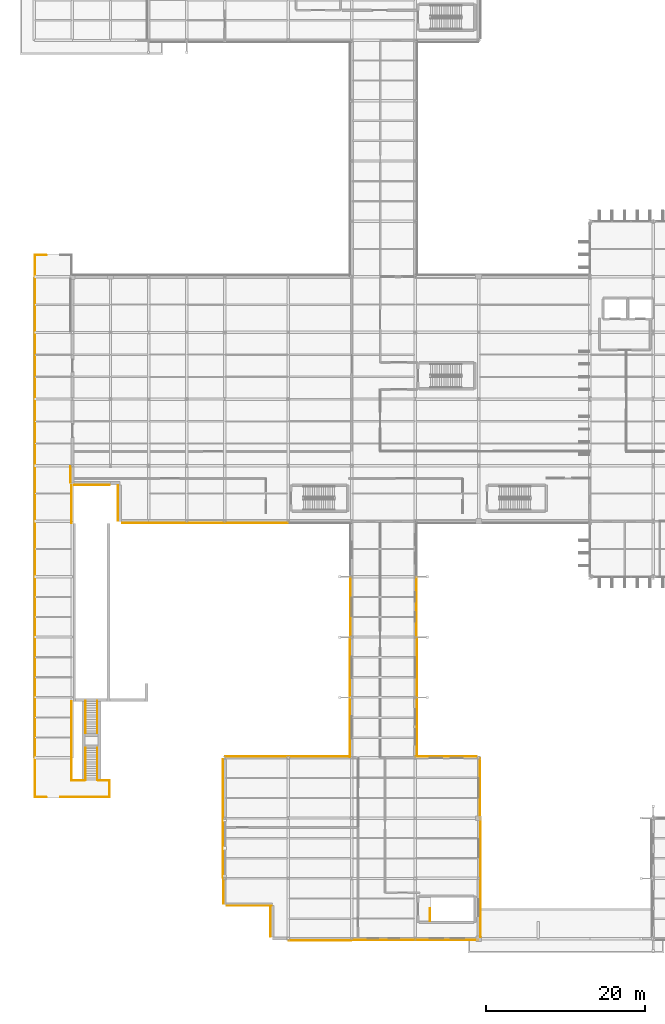
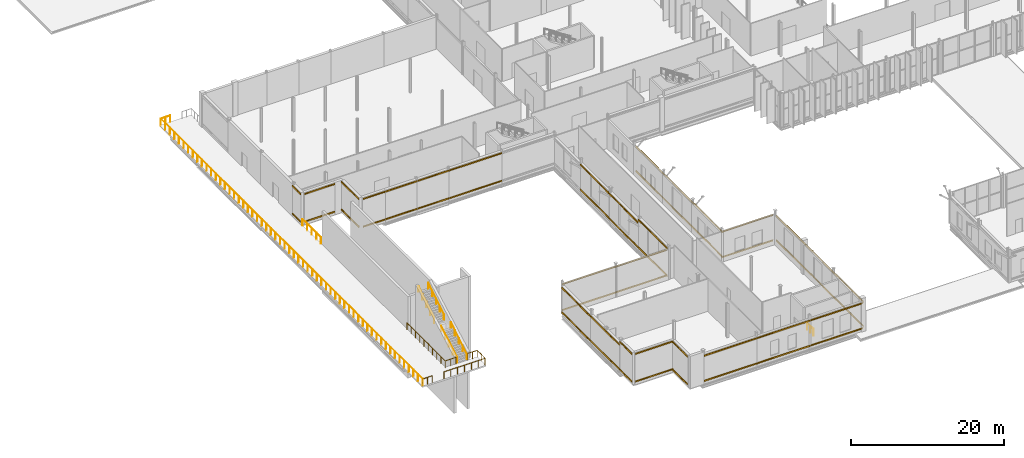
# One storey, part 132 of 147: 54 coverings, 10 railings.
"""IFC4 building model written with IfcOpenShell, lengths in metres."""

from ifc_helpers import new_model, si_unit, direction, frame, origin, origin_2d, place, context, subcontext, project, spatial, rectangle, circle, extrude, material, layer, layer_set, type_object, element, save


model = new_model("IFC4")

# Units and contexts
model_context = context("Model", 3, precision=1e-05, world=origin(), true_north=direction((0.0, 1.0)))
body_context = subcontext(model_context, "Body", "Model", "MODEL_VIEW")
ifc_project = project(units=[si_unit("LENGTHUNIT", "METRE"), si_unit("AREAUNIT", "SQUARE_METRE"), si_unit("VOLUMEUNIT", "CUBIC_METRE"), si_unit("PLANEANGLEUNIT", "RADIAN"), si_unit("MASSUNIT", "GRAM", prefix="KILO")], contexts=[model_context])

# Site, building, storey
site_placement = place(None, origin())
site = spatial("IfcSite", under=ifc_project, at=site_placement, CompositionType="ELEMENT")
building_placement = place(site_placement, origin())
building = spatial("IfcBuilding", under=site, at=building_placement, Name="Vekula Escarpment Museum", CompositionType="ELEMENT")
storey_placement = place(building_placement, frame((0.0, 0.0, 7.800048828125)))
storey = spatial("IfcBuildingStorey", under=building, at=storey_placement, Name="L02", CompositionType="ELEMENT", Elevation=7.800048828125)

# Coverings
ifc_material_1 = material(Name="Polychrome limestone almasik string-course band", Category="masonry")
ifc_layer = layer(ifc_material_1, 0.06005859375)
ifc_layer_set = layer_set([ifc_layer], Name="Polychrome limestone almasik string-course band")
covering_type = type_object("IfcCoveringType", Name="COV-ALM-BAND", PredefinedType="CLADDING", material=ifc_layer_set)
for number, where, z_axis, x_axis, name in (
    (1, (36.0, -0.200927734375, 0.41015625), (0.0, 0.0, 1.0), (1.0, 0.0, 0.0), "Almasik Stone String Course L02-0231"),
    (2, (36.0, -0.200927734375, 4.4150390625), (0.0, 0.0, 1.0), (1.0, 0.0, 0.0), "Almasik Stone String Course L02-0232"),
    (3, (44.0, -0.18603515625, 0.41015625), (0.0, 0.0, 1.0), (1.0, 0.0, 0.0), "Almasik Stone String Course L02-0233"),
    (4, (44.0, -0.18603515625, 4.4150390625), (0.0, 0.0, 1.0), (1.0, 0.0, 0.0), "Almasik Stone String Course L02-0234"),
    (5, (52.0, -0.176025390625, 0.41015625), (0.0, 0.0, 1.0), (1.0, 0.0, 0.0), "Almasik Stone String Course L02-0235"),
    (6, (52.0, -0.176025390625, 4.4150390625), (0.0, 0.0, 1.0), (1.0, 0.0, 0.0), "Almasik Stone String Course L02-0236"),
):
    element("IfcCovering", number, at=place(storey_placement, frame(where, z_axis=z_axis, x_axis=x_axis)), inside=storey, type_object=covering_type, Name=name, PredefinedType="CLADDING", context=body_context, shape_type="SweptSolid", body=[
        extrude(rectangle(XDim=7.8798828125, YDim=0.06005859375, at=origin_2d()), origin(), (0.0, 0.0, 1.0), 0.219970703125),
    ])
for number, where, z_axis, x_axis, name in (
    (7, (56.216064453125, 3.876953125, 0.41015625), (0.0, 0.0, 1.0), (0.0, 1.0, 0.0), "Almasik Stone String Course L02-0237"),
    (8, (56.216064453125, 3.876953125, 4.30517578125), (0.0, 0.0, 1.0), (0.0, 1.0, 0.0), "Almasik Stone String Course L02-0238"),
):
    element("IfcCovering", number, at=place(storey_placement, frame(where, z_axis=z_axis, x_axis=x_axis)), inside=storey, type_object=covering_type, Name=name, PredefinedType="CLADDING", context=body_context, shape_type="SweptSolid", body=[
        extrude(rectangle(XDim=7.325927734375, YDim=0.06005859375, at=origin_2d()), origin(), (0.0, 0.0, 1.0), 0.219970703125),
    ])
for number, where, z_axis, x_axis, name in (
    (9, (56.200927734375, 11.39990234375, 0.41015625), (0.0, 0.0, 1.0), (0.0, 1.0, 0.0), "Almasik Stone String Course L02-0239"),
    (10, (56.200927734375, 11.39990234375, 4.30517578125), (0.0, 0.0, 1.0), (0.0, 1.0, 0.0), "Almasik Stone String Course L02-0240"),
    (11, (56.18603515625, 19.0, 0.41015625), (0.0, 0.0, 1.0), (0.0, 1.0, 0.0), "Almasik Stone String Course L02-0241"),
    (12, (56.18603515625, 19.0, 4.30517578125), (0.0, 0.0, 1.0), (0.0, 1.0, 0.0), "Almasik Stone String Course L02-0242"),
):
    element("IfcCovering", number, at=place(storey_placement, frame(where, z_axis=z_axis, x_axis=x_axis)), inside=storey, type_object=covering_type, Name=name, PredefinedType="CLADDING", context=body_context, shape_type="SweptSolid", body=[
        extrude(rectangle(XDim=7.47998046875, YDim=0.06005859375, at=origin_2d()), origin(), (0.0, 0.0, 1.0), 0.219970703125),
    ])
for number, where, z_axis, x_axis, name in (
    (13, (51.91796875, 22.97607421875, 0.41015625), (0.0, 0.0, 1.0), (1.0, 0.0, 0.0), "Almasik Stone String Course L02-0243"),
    (14, (51.91796875, 22.97607421875, 4.455078125), (0.0, 0.0, 1.0), (1.0, 0.0, 0.0), "Almasik Stone String Course L02-0244"),
):
    element("IfcCovering", number, at=place(storey_placement, frame(where, z_axis=z_axis, x_axis=x_axis)), inside=storey, type_object=covering_type, Name=name, PredefinedType="CLADDING", context=body_context, shape_type="SweptSolid", body=[
        extrude(rectangle(XDim=7.716064453125, YDim=0.06005859375, at=origin_2d()), origin(), (0.0, 0.0, 1.0), 0.219970703125),
    ])
for number, where, z_axis, x_axis, name in (
    (15, (48.216064453125, 26.677001953125, 0.41015625), (0.0, 0.0, 1.0), (0.0, 1.0, 0.0), "Almasik Stone String Course L02-0245"),
    (16, (48.216064453125, 26.677001953125, 4.35498046875), (0.0, 0.0, 1.0), (0.0, 1.0, 0.0), "Almasik Stone String Course L02-0246"),
):
    element("IfcCovering", number, at=place(storey_placement, frame(where, z_axis=z_axis, x_axis=x_axis)), inside=storey, type_object=covering_type, Name=name, PredefinedType="CLADDING", context=body_context, shape_type="SweptSolid", body=[
        extrude(rectangle(XDim=7.325927734375, YDim=0.06005859375, at=origin_2d()), origin(), (0.0, 0.0, 1.0), 0.219970703125),
    ])
for number, where, z_axis, x_axis, name in (
    (17, (48.200927734375, 34.199951171875, 0.41015625), (0.0, 0.0, 1.0), (0.0, 1.0, 0.0), "Almasik Stone String Course L02-0247"),
    (18, (48.200927734375, 34.199951171875, 4.35498046875), (0.0, 0.0, 1.0), (0.0, 1.0, 0.0), "Almasik Stone String Course L02-0248"),
    (19, (48.18603515625, 41.800048828125, 0.41015625), (0.0, 0.0, 1.0), (0.0, 1.0, 0.0), "Almasik Stone String Course L02-0249"),
    (20, (48.18603515625, 41.800048828125, 4.35498046875), (0.0, 0.0, 1.0), (0.0, 1.0, 0.0), "Almasik Stone String Course L02-0250"),
):
    element("IfcCovering", number, at=place(storey_placement, frame(where, z_axis=z_axis, x_axis=x_axis)), inside=storey, type_object=covering_type, Name=name, PredefinedType="CLADDING", context=body_context, shape_type="SweptSolid", body=[
        extrude(rectangle(XDim=7.47998046875, YDim=0.06005859375, at=origin_2d()), origin(), (0.0, 0.0, 1.0), 0.219970703125),
    ])
for number, where, z_axis, x_axis, name in (
    (21, (4.573974609375, 58.5, 0.41015625), (0.0, 0.0, 1.0), (0.0, 1.0, 0.0), "Almasik Stone String Course L02-0440"),
    (22, (4.573974609375, 58.5, 4.81982421875), (0.0, 0.0, 1.0), (0.0, 1.0, 0.0), "Almasik Stone String Course L02-0441"),
):
    element("IfcCovering", number, at=place(storey_placement, frame(where, z_axis=z_axis, x_axis=x_axis)), inside=storey, type_object=covering_type, Name=name, PredefinedType="CLADDING", context=body_context, shape_type="SweptSolid", body=[
        extrude(rectangle(XDim=2.080078125, YDim=0.06005859375, at=origin_2d()), origin(), (0.0, 0.0, 1.0), 0.219970703125),
    ])
for number, where, z_axis, x_axis, name in (
    (23, (7.302001953125, 57.174072265625, 0.41015625), (0.0, 0.0, 1.0), (1.0, 0.0, 0.0), "Almasik Stone String Course L02-0442"),
    (24, (7.302001953125, 57.174072265625, 4.81982421875), (0.0, 0.0, 1.0), (1.0, 0.0, 0.0), "Almasik Stone String Course L02-0443"),
    (25, (10.573974609375, 54.89794921875, 0.41015625), (0.0, 0.0, 1.0), (0.0, 1.0, 0.0), "Almasik Stone String Course L02-0444"),
    (26, (10.573974609375, 54.89794921875, 4.81982421875), (0.0, 0.0, 1.0), (0.0, 1.0, 0.0), "Almasik Stone String Course L02-0445"),
):
    element("IfcCovering", number, at=place(storey_placement, frame(where, z_axis=z_axis, x_axis=x_axis)), inside=storey, type_object=covering_type, Name=name, PredefinedType="CLADDING", context=body_context, shape_type="SweptSolid", body=[
        extrude(rectangle(XDim=4.47607421875, YDim=0.06005859375, at=origin_2d()), origin(), (0.0, 0.0, 1.0), 0.219970703125),
    ])
for number, where, z_axis, x_axis, name in (
    (27, (12.701904296875, 52.3740234375, 0.41015625), (0.0, 0.0, 1.0), (1.0, 0.0, 0.0), "Almasik Stone String Course L02-0446"),
    (28, (12.701904296875, 52.3740234375, 4.81982421875), (0.0, 0.0, 1.0), (1.0, 0.0, 0.0), "Almasik Stone String Course L02-0447"),
):
    element("IfcCovering", number, at=place(storey_placement, frame(where, z_axis=z_axis, x_axis=x_axis)), inside=storey, type_object=covering_type, Name=name, PredefinedType="CLADDING", context=body_context, shape_type="SweptSolid", body=[
        extrude(rectangle(XDim=3.27587890625, YDim=0.06005859375, at=origin_2d()), origin(), (0.0, 0.0, 1.0), 0.219970703125),
    ])
for number, where, z_axis, x_axis, name in (
    (29, (16.800048828125, 52.3740234375, 0.41015625), (0.0, 0.0, 1.0), (1.0, 0.0, 0.0), "Almasik Stone String Course L02-0448"),
    (30, (16.800048828125, 52.3740234375, 4.81982421875), (0.0, 0.0, 1.0), (1.0, 0.0, 0.0), "Almasik Stone String Course L02-0449"),
    (31, (21.60009765625, 52.3740234375, 0.41015625), (0.0, 0.0, 1.0), (1.0, 0.0, 0.0), "Almasik Stone String Course L02-0450"),
    (32, (21.60009765625, 52.3740234375, 4.81982421875), (0.0, 0.0, 1.0), (1.0, 0.0, 0.0), "Almasik Stone String Course L02-0451"),
):
    element("IfcCovering", number, at=place(storey_placement, frame(where, z_axis=z_axis, x_axis=x_axis)), inside=storey, type_object=covering_type, Name=name, PredefinedType="CLADDING", context=body_context, shape_type="SweptSolid", body=[
        extrude(rectangle(XDim=4.679931640625, YDim=0.06005859375, at=origin_2d()), origin(), (0.0, 0.0, 1.0), 0.219970703125),
    ])
for number, where, z_axis, x_axis, name in (
    (33, (28.0, 52.3740234375, 0.41015625), (0.0, 0.0, 1.0), (1.0, 0.0, 0.0), "Almasik Stone String Course L02-0452"),
    (34, (28.0, 52.3740234375, 4.81982421875), (0.0, 0.0, 1.0), (1.0, 0.0, 0.0), "Almasik Stone String Course L02-0453"),
):
    element("IfcCovering", number, at=place(storey_placement, frame(where, z_axis=z_axis, x_axis=x_axis)), inside=storey, type_object=covering_type, Name=name, PredefinedType="CLADDING", context=body_context, shape_type="SweptSolid", body=[
        extrude(rectangle(XDim=7.8798828125, YDim=0.06005859375, at=origin_2d()), origin(), (0.0, 0.0, 1.0), 0.219970703125),
    ])
for number, where, z_axis, x_axis, name in (
    (35, (39.823974609375, 41.800048828125, 0.41015625), (0.0, 0.0, 1.0), (0.0, 1.0, 0.0), "Almasik Stone String Course L02-0458"),
    (36, (39.823974609375, 41.800048828125, 4.35498046875), (0.0, 0.0, 1.0), (0.0, 1.0, 0.0), "Almasik Stone String Course L02-0459"),
    (37, (39.783935546875, 34.199951171875, 0.41015625), (0.0, 0.0, 1.0), (0.0, 1.0, 0.0), "Almasik Stone String Course L02-0460"),
    (38, (39.783935546875, 34.199951171875, 4.35498046875), (0.0, 0.0, 1.0), (0.0, 1.0, 0.0), "Almasik Stone String Course L02-0461"),
    (39, (39.799072265625, 26.60009765625, 0.41015625), (0.0, 0.0, 1.0), (0.0, 1.0, 0.0), "Almasik Stone String Course L02-0462"),
    (40, (39.799072265625, 26.60009765625, 4.81982421875), (0.0, 0.0, 1.0), (0.0, 1.0, 0.0), "Almasik Stone String Course L02-0463"),
):
    element("IfcCovering", number, at=place(storey_placement, frame(where, z_axis=z_axis, x_axis=x_axis)), inside=storey, type_object=covering_type, Name=name, PredefinedType="CLADDING", context=body_context, shape_type="SweptSolid", body=[
        extrude(rectangle(XDim=7.47998046875, YDim=0.06005859375, at=origin_2d()), origin(), (0.0, 0.0, 1.0), 0.219970703125),
    ])
for number, where, z_axis, x_axis, name in (
    (41, (35.910400390625, 22.986083984375, 0.41015625), (0.0, 0.0, 1.0), (1.0, 0.0, 0.0), "Almasik Stone String Course L02-0464"),
    (42, (35.910400390625, 22.986083984375, 4.48486328125), (0.0, 0.0, 1.0), (1.0, 0.0, 0.0), "Almasik Stone String Course L02-0465"),
):
    element("IfcCovering", number, at=place(storey_placement, frame(where, z_axis=z_axis, x_axis=x_axis)), inside=storey, type_object=covering_type, Name=name, PredefinedType="CLADDING", context=body_context, shape_type="SweptSolid", body=[
        extrude(rectangle(XDim=7.700927734375, YDim=0.06005859375, at=origin_2d()), origin(), (0.0, 0.0, 1.0), 0.219970703125),
    ])
for number, where, z_axis, x_axis, name in (
    (43, (28.0, 22.97607421875, 0.41015625), (0.0, 0.0, 1.0), (1.0, 0.0, 0.0), "Almasik Stone String Course L02-0466"),
    (44, (28.0, 22.97607421875, 4.52490234375), (0.0, 0.0, 1.0), (1.0, 0.0, 0.0), "Almasik Stone String Course L02-0467"),
):
    element("IfcCovering", number, at=place(storey_placement, frame(where, z_axis=z_axis, x_axis=x_axis)), inside=storey, type_object=covering_type, Name=name, PredefinedType="CLADDING", context=body_context, shape_type="SweptSolid", body=[
        extrude(rectangle(XDim=7.8798828125, YDim=0.06005859375, at=origin_2d()), origin(), (0.0, 0.0, 1.0), 0.219970703125),
    ])
for number, where, z_axis, x_axis, name in (
    (45, (23.783935546875, 18.923095703125, 0.41015625), (0.0, 0.0, 1.0), (0.0, 1.0, 0.0), "Almasik Stone String Course L02-0468"),
    (46, (23.783935546875, 18.923095703125, 4.30517578125), (0.0, 0.0, 1.0), (0.0, 1.0, 0.0), "Almasik Stone String Course L02-0469"),
):
    element("IfcCovering", number, at=place(storey_placement, frame(where, z_axis=z_axis, x_axis=x_axis)), inside=storey, type_object=covering_type, Name=name, PredefinedType="CLADDING", context=body_context, shape_type="SweptSolid", body=[
        extrude(rectangle(XDim=7.325927734375, YDim=0.06005859375, at=origin_2d()), origin(), (0.0, 0.0, 1.0), 0.219970703125),
    ])
for number, where, z_axis, x_axis, name in (
    (47, (23.799072265625, 11.39990234375, 0.41015625), (0.0, 0.0, 1.0), (0.0, 1.0, 0.0), "Almasik Stone String Course L02-0470"),
    (48, (23.799072265625, 11.39990234375, 4.30517578125), (0.0, 0.0, 1.0), (0.0, 1.0, 0.0), "Almasik Stone String Course L02-0471"),
):
    element("IfcCovering", number, at=place(storey_placement, frame(where, z_axis=z_axis, x_axis=x_axis)), inside=storey, type_object=covering_type, Name=name, PredefinedType="CLADDING", context=body_context, shape_type="SweptSolid", body=[
        extrude(rectangle(XDim=7.47998046875, YDim=0.06005859375, at=origin_2d()), origin(), (0.0, 0.0, 1.0), 0.219970703125),
    ])
for number, where, z_axis, x_axis, name in (
    (49, (23.81396484375, 5.966064453125, 0.41015625), (0.0, 0.0, 1.0), (0.0, 1.0, 0.0), "Almasik Stone String Course L02-0472"),
    (50, (23.81396484375, 5.966064453125, 4.81982421875), (0.0, 0.0, 1.0), (0.0, 1.0, 0.0), "Almasik Stone String Course L02-0473"),
):
    element("IfcCovering", number, at=place(storey_placement, frame(where, z_axis=z_axis, x_axis=x_axis)), inside=storey, type_object=covering_type, Name=name, PredefinedType="CLADDING", context=body_context, shape_type="SweptSolid", body=[
        extrude(rectangle(XDim=3.14794921875, YDim=0.06005859375, at=origin_2d()), origin(), (0.0, 0.0, 1.0), 0.219970703125),
    ])
for number, where, z_axis, x_axis, name in (
    (51, (27.08203125, 4.156005859375, 0.41015625), (0.0, 0.0, 1.0), (1.0, 0.0, 0.0), "Almasik Stone String Course L02-0474"),
    (52, (27.08203125, 4.156005859375, 4.81982421875), (0.0, 0.0, 1.0), (1.0, 0.0, 0.0), "Almasik Stone String Course L02-0475"),
):
    element("IfcCovering", number, at=place(storey_placement, frame(where, z_axis=z_axis, x_axis=x_axis)), inside=storey, type_object=covering_type, Name=name, PredefinedType="CLADDING", context=body_context, shape_type="SweptSolid", body=[
        extrude(rectangle(XDim=5.716064453125, YDim=0.06005859375, at=origin_2d()), origin(), (0.0, 0.0, 1.0), 0.219970703125),
    ])
for number, where, z_axis, x_axis, name in (
    (53, (29.783935546875, 2.18603515625, 0.41015625), (0.0, 0.0, 1.0), (0.0, 1.0, 0.0), "Almasik Stone String Course L02-0476"),
    (54, (29.783935546875, 2.18603515625, 4.81982421875), (0.0, 0.0, 1.0), (0.0, 1.0, 0.0), "Almasik Stone String Course L02-0477"),
):
    element("IfcCovering", number, at=place(storey_placement, frame(where, z_axis=z_axis, x_axis=x_axis)), inside=storey, type_object=covering_type, Name=name, PredefinedType="CLADDING", context=body_context, shape_type="SweptSolid", body=[
        extrude(rectangle(XDim=3.864013671875, YDim=0.06005859375, at=origin_2d()), origin(), (0.0, 0.0, 1.0), 0.219970703125),
    ])

# Railings
ifc_material_2 = material(Name="Painted Steel S355 stair guard", Category="steel")
railing_type_1 = type_object("IfcRailingType", Name="RL-STAIR-GUARD", PredefinedType="GUARDRAIL", material=ifc_material_2)
railing_1_placement = place(storey_placement, frame((49.8701171875, 2.199951171875, 0.0)))
element("IfcRailing", 55, at=railing_1_placement, inside=storey, type_object=railing_type_1, Name="L02 ST-07 top well guard 1", PredefinedType="GUARDRAIL", context=body_context, shape_type="SweptSolid", body=[
    extrude(circle(Radius=0.02392578125, at=origin_2d()), frame((0.0, 0.0, 1.076171875), z_axis=(0.0, 1.0, 0.0), x_axis=(-1.0, 0.0, 0.0)), (0.0, 0.0, 1.0), 1.6201171875),
    extrude(circle(Radius=0.02099609375, at=origin_2d()), origin(), (0.0, 0.0, 1.0), 1.052001953125),
    extrude(circle(Radius=0.02099609375, at=origin_2d()), frame((0.0, 0.81005859375, 0.0)), (0.0, 0.0, 1.0), 1.052001953125),
    extrude(circle(Radius=0.02099609375, at=origin_2d()), frame((0.0, 1.6201171875, 0.0)), (0.0, 0.0, 1.0), 1.052001953125),
])
ifc_material_3 = material(Name="Brushed stainless steel handrail", Category="steel")
railing_type_2 = type_object("IfcRailingType", Name="RL-STAIR-HAND", PredefinedType="HANDRAIL", material=ifc_material_3)
for number, where, name in (
    (56, (6.4599609375, 19.97998046875, 0.179931640625), "Escarpment Plinth Stair Handrail ST-AMP-S2-1L"),
    (57, (7.93994140625, 19.97998046875, 0.179931640625), "Escarpment Plinth Stair Handrail ST-AMP-S2-1R"),
    (58, (6.4599609375, 25.889892578125, 2.8798828125), "Escarpment Plinth Stair Handrail ST-AMP-S2-2L"),
    (59, (7.93994140625, 25.889892578125, 2.8798828125), "Escarpment Plinth Stair Handrail ST-AMP-S2-2R"),
):
    element("IfcRailing", number, at=place(storey_placement, frame(where)), inside=storey, type_object=railing_type_2, Name=name, PredefinedType="HANDRAIL", context=body_context, shape_type="SweptSolid", body=[
        extrude(circle(Radius=0.02392578125, at=origin_2d()), frame((0.0, 0.0, 0.8759765625), z_axis=(0.0, 0.849641744969, 0.527360318194), x_axis=(-1.0, 0.0, 0.0)), (0.0, 0.0, 1.0), 4.778564453125),
        extrude(circle(Radius=0.02099609375, at=origin_2d()), origin(), (0.0, 0.0, 1.0), 0.851806640625),
        extrude(circle(Radius=0.02099609375, at=origin_2d()), frame((0.0, 1.01513671875, 0.6298828125)), (0.0, 0.0, 1.0), 0.851806640625),
        extrude(circle(Radius=0.02099609375, at=origin_2d()), frame((0.0, 2.030029296875, 1.260009765625)), (0.0, 0.0, 1.0), 0.851806640625),
        extrude(circle(Radius=0.02099609375, at=origin_2d()), frame((0.0, 3.044921875, 1.89013671875)), (0.0, 0.0, 1.0), 0.851806640625),
        extrude(circle(Radius=0.02099609375, at=origin_2d()), frame((0.0, 4.06005859375, 2.52001953125)), (0.0, 0.0, 1.0), 0.851806640625),
    ])
ifc_material_4 = material(Name="Bronze-coated Steel S355 balustrade", Category="steel")
railing_type_3 = type_object("IfcRailingType", Name="RL-TER-GUARD", PredefinedType="GUARDRAIL", material=ifc_material_4)
railing_2_placement = place(storey_placement, frame((0.090087890625, 17.85009765625, 0.0)))
element("IfcRailing", 60, at=railing_2_placement, inside=storey, type_object=railing_type_3, Name="Terrace Balustrade L02-021", PredefinedType="GUARDRAIL", context=body_context, shape_type="SweptSolid", body=[
    extrude(circle(Radius=0.02392578125, at=origin_2d()), frame((0.0, 0.0, 1.076171875), z_axis=(0.0, 1.0, 0.0), x_axis=(-1.0, 0.0, 0.0)), (0.0, 0.0, 1.0), 68.2998046875),
    extrude(circle(Radius=0.02392578125, at=origin_2d()), frame((0.0, 68.2998046875, 1.076171875), z_axis=(1.0, 0.0, 0.0), x_axis=(0.0, 1.0, 0.0)), (0.0, 0.0, 1.0), 1.429931640625),
    extrude(circle(Radius=0.02099609375, at=origin_2d()), origin(), (0.0, 0.0, 1.0), 1.052001953125),
    extrude(circle(Radius=0.02099609375, at=origin_2d()), frame((0.0, 1.1982421875, 0.0)), (0.0, 0.0, 1.0), 1.052001953125),
    extrude(circle(Radius=0.02099609375, at=origin_2d()), frame((0.0, 2.396484375, 0.0)), (0.0, 0.0, 1.0), 1.052001953125),
    extrude(circle(Radius=0.02099609375, at=origin_2d()), frame((0.0, 3.5947265625, 0.0)), (0.0, 0.0, 1.0), 1.052001953125),
    extrude(circle(Radius=0.02099609375, at=origin_2d()), frame((0.0, 4.79296875, 0.0)), (0.0, 0.0, 1.0), 1.052001953125),
    extrude(circle(Radius=0.02099609375, at=origin_2d()), frame((0.0, 5.9912109375, 0.0)), (0.0, 0.0, 1.0), 1.052001953125),
    extrude(circle(Radius=0.02099609375, at=origin_2d()), frame((0.0, 7.189453125, 0.0)), (0.0, 0.0, 1.0), 1.052001953125),
    extrude(circle(Radius=0.02099609375, at=origin_2d()), frame((0.0, 8.3876953125, 0.0)), (0.0, 0.0, 1.0), 1.052001953125),
    extrude(circle(Radius=0.02099609375, at=origin_2d()), frame((0.0, 9.5859375, 0.0)), (0.0, 0.0, 1.0), 1.052001953125),
    extrude(circle(Radius=0.02099609375, at=origin_2d()), frame((0.0, 10.7841796875, 0.0)), (0.0, 0.0, 1.0), 1.052001953125),
    extrude(circle(Radius=0.02099609375, at=origin_2d()), frame((0.0, 11.982421875, 0.0)), (0.0, 0.0, 1.0), 1.052001953125),
    extrude(circle(Radius=0.02099609375, at=origin_2d()), frame((0.0, 13.1806640625, 0.0)), (0.0, 0.0, 1.0), 1.052001953125),
    extrude(circle(Radius=0.02099609375, at=origin_2d()), frame((0.0, 14.37890625, 0.0)), (0.0, 0.0, 1.0), 1.052001953125),
    extrude(circle(Radius=0.02099609375, at=origin_2d()), frame((0.0, 15.5771484375, 0.0)), (0.0, 0.0, 1.0), 1.052001953125),
    extrude(circle(Radius=0.02099609375, at=origin_2d()), frame((0.0, 16.775390625, 0.0)), (0.0, 0.0, 1.0), 1.052001953125),
    extrude(circle(Radius=0.02099609375, at=origin_2d()), frame((0.0, 17.9736328125, 0.0)), (0.0, 0.0, 1.0), 1.052001953125),
    extrude(circle(Radius=0.02099609375, at=origin_2d()), frame((0.0, 19.171875, 0.0)), (0.0, 0.0, 1.0), 1.052001953125),
    extrude(circle(Radius=0.02099609375, at=origin_2d()), frame((0.0, 20.3701171875, 0.0)), (0.0, 0.0, 1.0), 1.052001953125),
    extrude(circle(Radius=0.02099609375, at=origin_2d()), frame((0.0, 21.568359375, 0.0)), (0.0, 0.0, 1.0), 1.052001953125),
    extrude(circle(Radius=0.02099609375, at=origin_2d()), frame((0.0, 22.7666015625, 0.0)), (0.0, 0.0, 1.0), 1.052001953125),
    extrude(circle(Radius=0.02099609375, at=origin_2d()), frame((0.0, 23.96484375, 0.0)), (0.0, 0.0, 1.0), 1.052001953125),
    extrude(circle(Radius=0.02099609375, at=origin_2d()), frame((0.0, 25.1630859375, 0.0)), (0.0, 0.0, 1.0), 1.052001953125),
    extrude(circle(Radius=0.02099609375, at=origin_2d()), frame((0.0, 26.361328125, 0.0)), (0.0, 0.0, 1.0), 1.052001953125),
    extrude(circle(Radius=0.02099609375, at=origin_2d()), frame((0.0, 27.5595703125, 0.0)), (0.0, 0.0, 1.0), 1.052001953125),
    extrude(circle(Radius=0.02099609375, at=origin_2d()), frame((0.0, 28.7578125, 0.0)), (0.0, 0.0, 1.0), 1.052001953125),
    extrude(circle(Radius=0.02099609375, at=origin_2d()), frame((0.0, 29.9560546875, 0.0)), (0.0, 0.0, 1.0), 1.052001953125),
    extrude(circle(Radius=0.02099609375, at=origin_2d()), frame((0.0, 31.154296875, 0.0)), (0.0, 0.0, 1.0), 1.052001953125),
    extrude(circle(Radius=0.02099609375, at=origin_2d()), frame((0.0, 32.3525390625, 0.0)), (0.0, 0.0, 1.0), 1.052001953125),
    extrude(circle(Radius=0.02099609375, at=origin_2d()), frame((0.0, 33.55078125, 0.0)), (0.0, 0.0, 1.0), 1.052001953125),
    extrude(circle(Radius=0.02099609375, at=origin_2d()), frame((0.0, 34.7490234375, 0.0)), (0.0, 0.0, 1.0), 1.052001953125),
    extrude(circle(Radius=0.02099609375, at=origin_2d()), frame((0.0, 35.947265625, 0.0)), (0.0, 0.0, 1.0), 1.052001953125),
    extrude(circle(Radius=0.02099609375, at=origin_2d()), frame((0.0, 37.1455078125, 0.0)), (0.0, 0.0, 1.0), 1.052001953125),
    extrude(circle(Radius=0.02099609375, at=origin_2d()), frame((0.0, 38.34375, 0.0)), (0.0, 0.0, 1.0), 1.052001953125),
    extrude(circle(Radius=0.02099609375, at=origin_2d()), frame((0.0, 39.5419921875, 0.0)), (0.0, 0.0, 1.0), 1.052001953125),
    extrude(circle(Radius=0.02099609375, at=origin_2d()), frame((0.0, 40.740234375, 0.0)), (0.0, 0.0, 1.0), 1.052001953125),
    extrude(circle(Radius=0.02099609375, at=origin_2d()), frame((0.0, 41.9384765625, 0.0)), (0.0, 0.0, 1.0), 1.052001953125),
    extrude(circle(Radius=0.02099609375, at=origin_2d()), frame((0.0, 43.13671875, 0.0)), (0.0, 0.0, 1.0), 1.052001953125),
    extrude(circle(Radius=0.02099609375, at=origin_2d()), frame((0.0, 44.3349609375, 0.0)), (0.0, 0.0, 1.0), 1.052001953125),
    extrude(circle(Radius=0.02099609375, at=origin_2d()), frame((0.0, 45.533203125, 0.0)), (0.0, 0.0, 1.0), 1.052001953125),
    extrude(circle(Radius=0.02099609375, at=origin_2d()), frame((0.0, 46.7314453125, 0.0)), (0.0, 0.0, 1.0), 1.052001953125),
    extrude(circle(Radius=0.02099609375, at=origin_2d()), frame((0.0, 47.9296875, 0.0)), (0.0, 0.0, 1.0), 1.052001953125),
    extrude(circle(Radius=0.02099609375, at=origin_2d()), frame((0.0, 49.1279296875, 0.0)), (0.0, 0.0, 1.0), 1.052001953125),
    extrude(circle(Radius=0.02099609375, at=origin_2d()), frame((0.0, 50.326171875, 0.0)), (0.0, 0.0, 1.0), 1.052001953125),
    extrude(circle(Radius=0.02099609375, at=origin_2d()), frame((0.0, 51.5244140625, 0.0)), (0.0, 0.0, 1.0), 1.052001953125),
    extrude(circle(Radius=0.02099609375, at=origin_2d()), frame((0.0, 52.72265625, 0.0)), (0.0, 0.0, 1.0), 1.052001953125),
    extrude(circle(Radius=0.02099609375, at=origin_2d()), frame((0.0, 53.9208984375, 0.0)), (0.0, 0.0, 1.0), 1.052001953125),
    extrude(circle(Radius=0.02099609375, at=origin_2d()), frame((0.0, 55.119140625, 0.0)), (0.0, 0.0, 1.0), 1.052001953125),
    extrude(circle(Radius=0.02099609375, at=origin_2d()), frame((0.0, 56.3173828125, 0.0)), (0.0, 0.0, 1.0), 1.052001953125),
    extrude(circle(Radius=0.02099609375, at=origin_2d()), frame((0.0, 57.515625, 0.0)), (0.0, 0.0, 1.0), 1.052001953125),
    extrude(circle(Radius=0.02099609375, at=origin_2d()), frame((0.0, 58.7138671875, 0.0)), (0.0, 0.0, 1.0), 1.052001953125),
    extrude(circle(Radius=0.02099609375, at=origin_2d()), frame((0.0, 59.912109375, 0.0)), (0.0, 0.0, 1.0), 1.052001953125),
    extrude(circle(Radius=0.02099609375, at=origin_2d()), frame((0.0, 61.1103515625, 0.0)), (0.0, 0.0, 1.0), 1.052001953125),
    extrude(circle(Radius=0.02099609375, at=origin_2d()), frame((0.0, 62.30859375, 0.0)), (0.0, 0.0, 1.0), 1.052001953125),
    extrude(circle(Radius=0.02099609375, at=origin_2d()), frame((0.0, 63.5068359375, 0.0)), (0.0, 0.0, 1.0), 1.052001953125),
    extrude(circle(Radius=0.02099609375, at=origin_2d()), frame((0.0, 64.705078125, 0.0)), (0.0, 0.0, 1.0), 1.052001953125),
    extrude(circle(Radius=0.02099609375, at=origin_2d()), frame((0.0, 65.9033203125, 0.0)), (0.0, 0.0, 1.0), 1.052001953125),
    extrude(circle(Radius=0.02099609375, at=origin_2d()), frame((0.0, 67.1015625, 0.0)), (0.0, 0.0, 1.0), 1.052001953125),
    extrude(circle(Radius=0.02099609375, at=origin_2d()), frame((0.0, 68.2998046875, 0.0)), (0.0, 0.0, 1.0), 1.052001953125),
    extrude(circle(Radius=0.02099609375, at=origin_2d()), frame((0.71484375, 68.2998046875, 0.0)), (0.0, 0.0, 1.0), 1.052001953125),
    extrude(circle(Radius=0.02099609375, at=origin_2d()), frame((1.429931640625, 68.2998046875, 0.0)), (0.0, 0.0, 1.0), 1.052001953125),
])
railing_3_placement = place(storey_placement, frame((4.68994140625, 57.1201171875, 0.0)))
element("IfcRailing", 61, at=railing_3_placement, inside=storey, type_object=railing_type_3, Name="Terrace Balustrade L02-023", PredefinedType="GUARDRAIL", context=body_context, shape_type="SweptSolid", body=[
    extrude(circle(Radius=0.02392578125, at=origin_2d()), frame((0.0, 0.0, 1.076171875), z_axis=(0.0, -1.0, 0.0), x_axis=(1.0, 0.0, 0.0)), (0.0, 0.0, 1.0), 4.77001953125),
    extrude(circle(Radius=0.02099609375, at=origin_2d()), origin(), (0.0, 0.0, 1.0), 1.052001953125),
    extrude(circle(Radius=0.02099609375, at=origin_2d()), frame((0.0, -1.1923828125, 0.0)), (0.0, 0.0, 1.0), 1.052001953125),
    extrude(circle(Radius=0.02099609375, at=origin_2d()), frame((0.0, -2.385009765625, 0.0)), (0.0, 0.0, 1.0), 1.052001953125),
    extrude(circle(Radius=0.02099609375, at=origin_2d()), frame((0.0, -3.57763671875, 0.0)), (0.0, 0.0, 1.0), 1.052001953125),
    extrude(circle(Radius=0.02099609375, at=origin_2d()), frame((0.0, -4.77001953125, 0.0)), (0.0, 0.0, 1.0), 1.052001953125),
])
railing_4_placement = place(storey_placement, frame((4.68994140625, 29.909912109375, 0.0)))
element("IfcRailing", 62, at=railing_4_placement, inside=storey, type_object=railing_type_3, Name="Terrace Balustrade L02-024", PredefinedType="GUARDRAIL", context=body_context, shape_type="SweptSolid", body=[
    extrude(circle(Radius=0.02392578125, at=origin_2d()), frame((0.0, 0.0, 1.076171875), z_axis=(0.0, -1.0, 0.0), x_axis=(1.0, 0.0, 0.0)), (0.0, 0.0, 1.0), 9.97998046875),
    extrude(circle(Radius=0.02392578125, at=origin_2d()), frame((0.0, -9.97998046875, 1.076171875), z_axis=(1.0, 0.0, 0.0), x_axis=(0.0, 1.0, 0.0)), (0.0, 0.0, 1.0), 1.630126953125),
    extrude(circle(Radius=0.02099609375, at=origin_2d()), origin(), (0.0, 0.0, 1.0), 1.052001953125),
    extrude(circle(Radius=0.02099609375, at=origin_2d()), frame((0.0, -1.10888671875, 0.0)), (0.0, 0.0, 1.0), 1.052001953125),
    extrude(circle(Radius=0.02099609375, at=origin_2d()), frame((0.0, -2.2177734375, 0.0)), (0.0, 0.0, 1.0), 1.052001953125),
    extrude(circle(Radius=0.02099609375, at=origin_2d()), frame((0.0, -3.32666015625, 0.0)), (0.0, 0.0, 1.0), 1.052001953125),
    extrude(circle(Radius=0.02099609375, at=origin_2d()), frame((0.0, -4.435546875, 0.0)), (0.0, 0.0, 1.0), 1.052001953125),
    extrude(circle(Radius=0.02099609375, at=origin_2d()), frame((0.0, -5.54443359375, 0.0)), (0.0, 0.0, 1.0), 1.052001953125),
    extrude(circle(Radius=0.02099609375, at=origin_2d()), frame((0.0, -6.6533203125, 0.0)), (0.0, 0.0, 1.0), 1.052001953125),
    extrude(circle(Radius=0.02099609375, at=origin_2d()), frame((0.0, -7.76220703125, 0.0)), (0.0, 0.0, 1.0), 1.052001953125),
    extrude(circle(Radius=0.02099609375, at=origin_2d()), frame((0.0, -8.87109375, 0.0)), (0.0, 0.0, 1.0), 1.052001953125),
    extrude(circle(Radius=0.02099609375, at=origin_2d()), frame((0.0, -9.97998046875, 0.0)), (0.0, 0.0, 1.0), 1.052001953125),
    extrude(circle(Radius=0.02099609375, at=origin_2d()), frame((0.81494140625, -9.97998046875, 0.0)), (0.0, 0.0, 1.0), 1.052001953125),
    extrude(circle(Radius=0.02099609375, at=origin_2d()), frame((1.630126953125, -9.97998046875, 0.0)), (0.0, 0.0, 1.0), 1.052001953125),
])
railing_5_placement = place(storey_placement, frame((8.080078125, 19.929931640625, 0.0)))
element("IfcRailing", 63, at=railing_5_placement, inside=storey, type_object=railing_type_3, Name="Terrace Balustrade L02-025", PredefinedType="GUARDRAIL", context=body_context, shape_type="SweptSolid", body=[
    extrude(circle(Radius=0.02392578125, at=origin_2d()), frame((0.0, 0.0, 1.076171875), z_axis=(1.0, 0.0, 0.0), x_axis=(0.0, 1.0, 0.0)), (0.0, 0.0, 1.0), 1.409912109375),
    extrude(circle(Radius=0.02392578125, at=origin_2d()), frame((1.409912109375, 0.0, 1.076171875), z_axis=(0.0, -1.0, 0.0), x_axis=(1.0, 0.0, 0.0)), (0.0, 0.0, 1.0), 2.079833984375),
    extrude(circle(Radius=0.02392578125, at=origin_2d()), frame((1.409912109375, -2.079833984375, 1.076171875), z_axis=(-1.0, 0.0, 0.0), x_axis=(0.0, -1.0, 0.0)), (0.0, 0.0, 1.0), 6.2099609375),
    extrude(circle(Radius=0.02099609375, at=origin_2d()), origin(), (0.0, 0.0, 1.0), 1.052001953125),
    extrude(circle(Radius=0.02099609375, at=origin_2d()), frame((0.705078125, 0.0, 0.0)), (0.0, 0.0, 1.0), 1.052001953125),
    extrude(circle(Radius=0.02099609375, at=origin_2d()), frame((1.409912109375, 0.0, 0.0)), (0.0, 0.0, 1.0), 1.052001953125),
    extrude(circle(Radius=0.02099609375, at=origin_2d()), frame((1.409912109375, -1.0400390625, 0.0)), (0.0, 0.0, 1.0), 1.052001953125),
    extrude(circle(Radius=0.02099609375, at=origin_2d()), frame((1.409912109375, -2.079833984375, 0.0)), (0.0, 0.0, 1.0), 1.052001953125),
    extrude(circle(Radius=0.02099609375, at=origin_2d()), frame((0.375, -2.079833984375, 0.0)), (0.0, 0.0, 1.0), 1.052001953125),
    extrude(circle(Radius=0.02099609375, at=origin_2d()), frame((-0.66015625, -2.079833984375, 0.0)), (0.0, 0.0, 1.0), 1.052001953125),
    extrude(circle(Radius=0.02099609375, at=origin_2d()), frame((-1.695068359375, -2.079833984375, 0.0)), (0.0, 0.0, 1.0), 1.052001953125),
    extrude(circle(Radius=0.02099609375, at=origin_2d()), frame((-2.72998046875, -2.079833984375, 0.0)), (0.0, 0.0, 1.0), 1.052001953125),
    extrude(circle(Radius=0.02099609375, at=origin_2d()), frame((-3.76513671875, -2.079833984375, 0.0)), (0.0, 0.0, 1.0), 1.052001953125),
    extrude(circle(Radius=0.02099609375, at=origin_2d()), frame((-4.800048828125, -2.079833984375, 0.0)), (0.0, 0.0, 1.0), 1.052001953125),
])
railing_6_placement = place(storey_placement, frame((1.52001953125, 17.85009765625, 0.0)))
element("IfcRailing", 64, at=railing_6_placement, inside=storey, type_object=railing_type_3, Name="Terrace Balustrade L02-026", PredefinedType="GUARDRAIL", context=body_context, shape_type="SweptSolid", body=[
    extrude(circle(Radius=0.02392578125, at=origin_2d()), frame((0.0, 0.0, 1.076171875), z_axis=(-1.0, 0.0, 0.0), x_axis=(0.0, -1.0, 0.0)), (0.0, 0.0, 1.0), 1.429931640625),
    extrude(circle(Radius=0.02099609375, at=origin_2d()), origin(), (0.0, 0.0, 1.0), 1.052001953125),
    extrude(circle(Radius=0.02099609375, at=origin_2d()), frame((-0.71484375, 0.0, 0.0)), (0.0, 0.0, 1.0), 1.052001953125),
    extrude(circle(Radius=0.02099609375, at=origin_2d()), frame((-1.429931640625, 0.0, 0.0)), (0.0, 0.0, 1.0), 1.052001953125),
])

save(model, "model.ifc")
